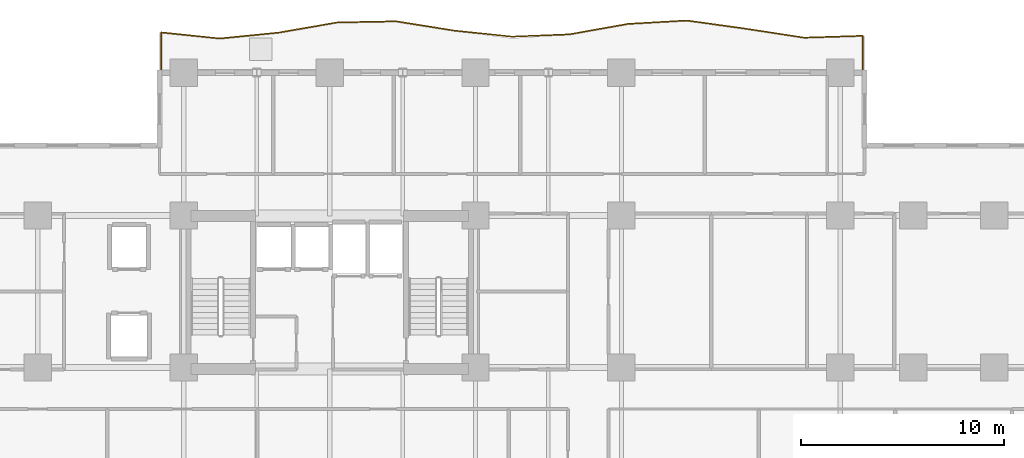
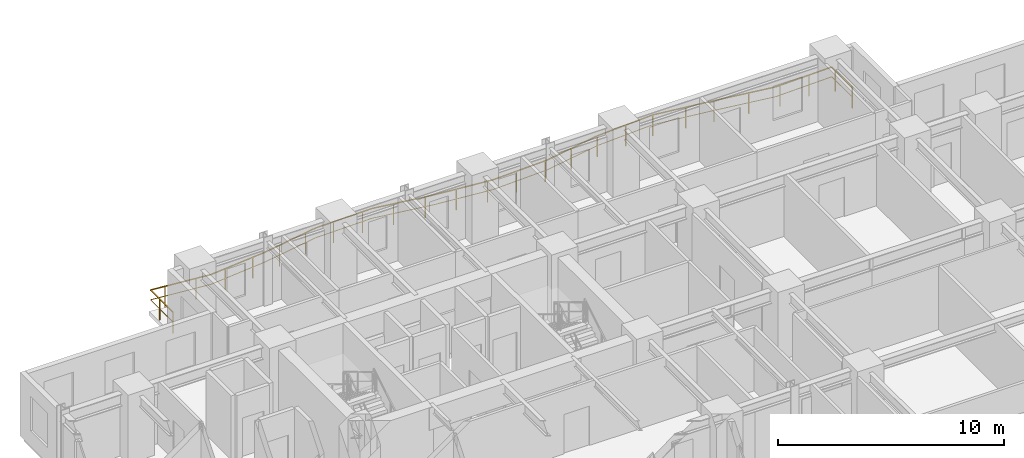
# One storey, part 11 of 11: 1 railing.
"""IFC4 building model written with IfcOpenShell, lengths in metres."""

from ifc_helpers import new_model, si_unit, direction, frame, origin, origin_2d, place, context, subcontext, project, spatial, rectangle, extrude, material, type_object, element, save


model = new_model("IFC4")

# Units and contexts
model_context = context("Model", 3, precision=1e-05, world=origin(), true_north=direction((0.0, 1.0)))
body_context = subcontext(model_context, "Body", "Model", "MODEL_VIEW")
ifc_project = project(units=[si_unit("LENGTHUNIT", "METRE"), si_unit("AREAUNIT", "SQUARE_METRE"), si_unit("VOLUMEUNIT", "CUBIC_METRE"), si_unit("PLANEANGLEUNIT", "RADIAN"), si_unit("MASSUNIT", "GRAM", prefix="KILO")], contexts=[model_context])

# Site, building, storey
site_placement = place(None, origin())
site = spatial("IfcSite", under=ifc_project, at=site_placement, CompositionType="ELEMENT")
building_placement = place(site_placement, origin())
building = spatial("IfcBuilding", under=site, at=building_placement, Name="Kaliganga Portal Commons", CompositionType="ELEMENT")
storey_placement = place(building_placement, frame((0.0, 0.0, 58.60009765625)))
storey = spatial("IfcBuildingStorey", under=building, at=storey_placement, Name="L14", CompositionType="ELEMENT", Elevation=58.60009765625)

# Railing
ifc_material = material(Name="Laminated Safety Glass and Stainless Steel 316", Category="steel")
railing_type = type_object("IfcRailingType", Name="RLG-BAL-1150", PredefinedType="BALUSTRADE", material=ifc_material)
railing_placement = place(storey_placement, frame((47.92041015625, 43.208251953125, 0.0)))
element("IfcRailing", 1, at=railing_placement, inside=storey, type_object=railing_type, Name="Balcony Guardrail L14 balc_north", PredefinedType="BALUSTRADE", context=body_context, shape_type="SweptSolid", body=[
    extrude(rectangle(XDim=0.048095703125, YDim=0.048095703125, at=origin_2d()), frame((0.0, 0.0, 1.1259765625), z_axis=(-0.000269469136, 0.999999963693, 0.0), x_axis=(-0.999999963693, -0.000269469136, 0.0)), (0.0, 0.0, 1.0), 1.81201171875),
    extrude(rectangle(XDim=0.028076171875, YDim=0.028076171875, at=origin_2d()), frame((0.0, 0.0, 0.597900390625), z_axis=(-0.000269469136, 0.999999963693, 0.0), x_axis=(-0.999999963693, -0.000269469136, 0.0)), (0.0, 0.0, 1.0), 1.81201171875),
    extrude(rectangle(XDim=0.048095703125, YDim=0.048095703125, at=origin_2d()), frame((-0.00048828125, 1.81201171875, 1.1259765625), z_axis=(-0.999499351622, -0.031639312697, 0.0), x_axis=(0.031639312697, -0.999499351622, 0.0)), (0.0, 0.0, 1.0), 2.9013671875),
    extrude(rectangle(XDim=0.028076171875, YDim=0.028076171875, at=origin_2d()), frame((-0.00048828125, 1.81201171875, 0.597900390625), z_axis=(-0.999499351622, -0.031639312697, 0.0), x_axis=(0.031639312697, -0.999499351622, 0.0)), (0.0, 0.0, 1.0), 2.9013671875),
    extrude(rectangle(XDim=0.048095703125, YDim=0.048095703125, at=origin_2d()), frame((-2.900390625, 1.72021484375, 1.1259765625), z_axis=(-0.988401500566, 0.151863338822, 0.0), x_axis=(-0.151863338822, -0.988401500566, 0.0)), (0.0, 0.0, 1.0), 2.933837890625),
    extrude(rectangle(XDim=0.028076171875, YDim=0.028076171875, at=origin_2d()), frame((-2.900390625, 1.72021484375, 0.597900390625), z_axis=(-0.988401500566, 0.151863338822, 0.0), x_axis=(-0.151863338822, -0.988401500566, 0.0)), (0.0, 0.0, 1.0), 2.933837890625),
    extrude(rectangle(XDim=0.048095703125, YDim=0.048095703125, at=origin_2d()), frame((-5.80029296875, 2.165771484375, 1.1259765625), z_axis=(-0.990579823892, 0.136936527263, 0.0), x_axis=(-0.136936527263, -0.990579823892, 0.0)), (0.0, 0.0, 1.0), 2.927490234375),
    extrude(rectangle(XDim=0.028076171875, YDim=0.028076171875, at=origin_2d()), frame((-5.80029296875, 2.165771484375, 0.597900390625), z_axis=(-0.990579823892, 0.136936527263, 0.0), x_axis=(-0.136936527263, -0.990579823892, 0.0)), (0.0, 0.0, 1.0), 2.927490234375),
    extrude(rectangle(XDim=0.048095703125, YDim=0.048095703125, at=origin_2d()), frame((-8.7001953125, 2.566650390625, 1.1259765625), z_axis=(-0.998331566542, -0.057741520981, 0.0), x_axis=(0.057741520981, -0.998331566542, 0.0)), (0.0, 0.0, 1.0), 2.90478515625),
    extrude(rectangle(XDim=0.028076171875, YDim=0.028076171875, at=origin_2d()), frame((-8.7001953125, 2.566650390625, 0.597900390625), z_axis=(-0.998331566542, -0.057741520981, 0.0), x_axis=(0.057741520981, -0.998331566542, 0.0)), (0.0, 0.0, 1.0), 2.90478515625),
    extrude(rectangle(XDim=0.048095703125, YDim=0.048095703125, at=origin_2d()), frame((-11.60009765625, 2.39892578125, 1.1259765625), z_axis=(-0.984591059627, -0.17487265453, 0.0), x_axis=(0.17487265453, -0.984591059627, 0.0)), (0.0, 0.0, 1.0), 2.94580078125),
    extrude(rectangle(XDim=0.028076171875, YDim=0.028076171875, at=origin_2d()), frame((-11.60009765625, 2.39892578125, 0.597900390625), z_axis=(-0.984591059627, -0.17487265453, 0.0), x_axis=(0.17487265453, -0.984591059627, 0.0)), (0.0, 0.0, 1.0), 2.94580078125),
    extrude(rectangle(XDim=0.048095703125, YDim=0.048095703125, at=origin_2d()), frame((-14.50048828125, 1.8837890625, 1.1259765625), z_axis=(-0.99917659204, -0.040572625253, 0.0), x_axis=(0.040572625253, -0.99917659204, 0.0)), (0.0, 0.0, 1.0), 2.822265625),
    extrude(rectangle(XDim=0.028076171875, YDim=0.028076171875, at=origin_2d()), frame((-14.50048828125, 1.8837890625, 0.597900390625), z_axis=(-0.99917659204, -0.040572625253, 0.0), x_axis=(0.040572625253, -0.99917659204, 0.0)), (0.0, 0.0, 1.0), 2.822265625),
    extrude(rectangle(XDim=0.048095703125, YDim=0.048095703125, at=origin_2d()), frame((-17.3203125, 1.769287109375, 1.1259765625), z_axis=(-0.994533247809, 0.104420395533, 0.0), x_axis=(-0.104420395533, -0.994533247809, 0.0)), (0.0, 0.0, 1.0), 2.836181640625),
    extrude(rectangle(XDim=0.028076171875, YDim=0.028076171875, at=origin_2d()), frame((-17.3203125, 1.769287109375, 0.597900390625), z_axis=(-0.994533247809, 0.104420395533, 0.0), x_axis=(-0.104420395533, -0.994533247809, 0.0)), (0.0, 0.0, 1.0), 2.836181640625),
    extrude(rectangle(XDim=0.048095703125, YDim=0.048095703125, at=origin_2d()), frame((-20.140869140625, 2.0654296875, 1.1259765625), z_axis=(-0.987552439779, 0.157290109947, 0.0), x_axis=(-0.157290109947, -0.987552439779, 0.0)), (0.0, 0.0, 1.0), 2.936767578125),
    extrude(rectangle(XDim=0.028076171875, YDim=0.028076171875, at=origin_2d()), frame((-20.140869140625, 2.0654296875, 0.597900390625), z_axis=(-0.987552439779, 0.157290109947, 0.0), x_axis=(-0.157290109947, -0.987552439779, 0.0)), (0.0, 0.0, 1.0), 2.936767578125),
    extrude(rectangle(XDim=0.048095703125, YDim=0.048095703125, at=origin_2d()), frame((-23.041015625, 2.52734375, 1.1259765625), z_axis=(-0.999814174039, -0.019277380303, 0.0), x_axis=(0.019277380303, -0.999814174039, 0.0)), (0.0, 0.0, 1.0), 2.900146484375),
    extrude(rectangle(XDim=0.028076171875, YDim=0.028076171875, at=origin_2d()), frame((-23.041015625, 2.52734375, 0.597900390625), z_axis=(-0.999814174039, -0.019277380303, 0.0), x_axis=(0.019277380303, -0.999814174039, 0.0)), (0.0, 0.0, 1.0), 2.900146484375),
    extrude(rectangle(XDim=0.048095703125, YDim=0.048095703125, at=origin_2d()), frame((-25.940673828125, 2.471435546875, 1.1259765625), z_axis=(-0.985387214448, -0.170329203609, 0.0), x_axis=(0.170329203609, -0.985387214448, 0.0)), (0.0, 0.0, 1.0), 2.942626953125),
    extrude(rectangle(XDim=0.028076171875, YDim=0.028076171875, at=origin_2d()), frame((-25.940673828125, 2.471435546875, 0.597900390625), z_axis=(-0.985387214448, -0.170329203609, 0.0), x_axis=(0.170329203609, -0.985387214448, 0.0)), (0.0, 0.0, 1.0), 2.942626953125),
    extrude(rectangle(XDim=0.048095703125, YDim=0.048095703125, at=origin_2d()), frame((-28.84033203125, 1.97021484375, 1.1259765625), z_axis=(-0.994994805252, -0.099926660718, 0.0), x_axis=(0.099926660718, -0.994994805252, 0.0)), (0.0, 0.0, 1.0), 2.914794921875),
    extrude(rectangle(XDim=0.028076171875, YDim=0.028076171875, at=origin_2d()), frame((-28.84033203125, 1.97021484375, 0.597900390625), z_axis=(-0.994994805252, -0.099926660718, 0.0), x_axis=(0.099926660718, -0.994994805252, 0.0)), (0.0, 0.0, 1.0), 2.914794921875),
    extrude(rectangle(XDim=0.048095703125, YDim=0.048095703125, at=origin_2d()), frame((-31.740478515625, 1.678955078125, 1.1259765625), z_axis=(-0.994672565379, 0.103084856708, 0.0), x_axis=(-0.103084856708, -0.994672565379, 0.0)), (0.0, 0.0, 1.0), 2.91552734375),
    extrude(rectangle(XDim=0.028076171875, YDim=0.028076171875, at=origin_2d()), frame((-31.740478515625, 1.678955078125, 0.597900390625), z_axis=(-0.994672565379, 0.103084856708, 0.0), x_axis=(-0.103084856708, -0.994672565379, 0.0)), (0.0, 0.0, 1.0), 2.91552734375),
    extrude(rectangle(XDim=0.048095703125, YDim=0.048095703125, at=origin_2d()), frame((-34.640380859375, 1.9794921875, 1.1259765625), z_axis=(-0.000246669948, -0.999999969577, 0.0), x_axis=(0.999999969577, -0.000246669948, 0.0)), (0.0, 0.0, 1.0), 1.9794921875),
    extrude(rectangle(XDim=0.028076171875, YDim=0.028076171875, at=origin_2d()), frame((-34.640380859375, 1.9794921875, 0.597900390625), z_axis=(-0.000246669948, -0.999999969577, 0.0), x_axis=(0.999999969577, -0.000246669948, 0.0)), (0.0, 0.0, 1.0), 1.9794921875),
    extrude(rectangle(XDim=0.0419921875, YDim=0.0419921875, at=origin_2d()), origin(), (0.0, 0.0, 1.0), 1.101806640625),
    extrude(rectangle(XDim=0.0419921875, YDim=0.0419921875, at=origin_2d()), frame((-0.00048828125, 1.5, 0.0)), (0.0, 0.0, 1.0), 1.101806640625),
    extrude(rectangle(XDim=0.0419921875, YDim=0.0419921875, at=origin_2d()), frame((-1.18798828125, 1.7744140625, 0.0)), (0.0, 0.0, 1.0), 1.101806640625),
    extrude(rectangle(XDim=0.0419921875, YDim=0.0419921875, at=origin_2d()), frame((-2.68701171875, 1.72705078125, 0.0)), (0.0, 0.0, 1.0), 1.101806640625),
    extrude(rectangle(XDim=0.0419921875, YDim=0.0419921875, at=origin_2d()), frame((-4.172119140625, 1.91552734375, 0.0)), (0.0, 0.0, 1.0), 1.101806640625),
    extrude(rectangle(XDim=0.0419921875, YDim=0.0419921875, at=origin_2d()), frame((-5.80029296875, 2.165771484375, 0.0)), (0.0, 0.0, 1.0), 1.101806640625),
    extrude(rectangle(XDim=0.0419921875, YDim=0.0419921875, at=origin_2d()), frame((-7.14013671875, 2.35107421875, 0.0)), (0.0, 0.0, 1.0), 1.101806640625),
    extrude(rectangle(XDim=0.0419921875, YDim=0.0419921875, at=origin_2d()), frame((-8.7001953125, 2.566650390625, 0.0)), (0.0, 0.0, 1.0), 1.101806640625),
    extrude(rectangle(XDim=0.0419921875, YDim=0.0419921875, at=origin_2d()), frame((-10.123046875, 2.484375, 0.0)), (0.0, 0.0, 1.0), 1.101806640625),
    extrude(rectangle(XDim=0.0419921875, YDim=0.0419921875, at=origin_2d()), frame((-11.620361328125, 2.395263671875, 0.0)), (0.0, 0.0, 1.0), 1.101806640625),
    extrude(rectangle(XDim=0.0419921875, YDim=0.0419921875, at=origin_2d()), frame((-13.09716796875, 2.133056640625, 0.0)), (0.0, 0.0, 1.0), 1.101806640625),
    extrude(rectangle(XDim=0.0419921875, YDim=0.0419921875, at=origin_2d()), frame((-14.5751953125, 1.880859375, 0.0)), (0.0, 0.0, 1.0), 1.101806640625),
    extrude(rectangle(XDim=0.0419921875, YDim=0.0419921875, at=origin_2d()), frame((-16.073974609375, 1.81982421875, 0.0)), (0.0, 0.0, 1.0), 1.101806640625),
    extrude(rectangle(XDim=0.0419921875, YDim=0.0419921875, at=origin_2d()), frame((-17.571533203125, 1.795654296875, 0.0)), (0.0, 0.0, 1.0), 1.101806640625),
    extrude(rectangle(XDim=0.0419921875, YDim=0.0419921875, at=origin_2d()), frame((-19.063232421875, 1.952392578125, 0.0)), (0.0, 0.0, 1.0), 1.101806640625),
    extrude(rectangle(XDim=0.0419921875, YDim=0.0419921875, at=origin_2d()), frame((-20.55224609375, 2.130859375, 0.0)), (0.0, 0.0, 1.0), 1.101806640625),
    extrude(rectangle(XDim=0.0419921875, YDim=0.0419921875, at=origin_2d()), frame((-22.033447265625, 2.366943359375, 0.0)), (0.0, 0.0, 1.0), 1.101806640625),
    extrude(rectangle(XDim=0.0419921875, YDim=0.0419921875, at=origin_2d()), frame((-23.520751953125, 2.51806640625, 0.0)), (0.0, 0.0, 1.0), 1.101806640625),
    extrude(rectangle(XDim=0.0419921875, YDim=0.0419921875, at=origin_2d()), frame((-25.0205078125, 2.4892578125, 0.0)), (0.0, 0.0, 1.0), 1.101806640625),
    extrude(rectangle(XDim=0.0419921875, YDim=0.0419921875, at=origin_2d()), frame((-26.51171875, 2.372802734375, 0.0)), (0.0, 0.0, 1.0), 1.101806640625),
    extrude(rectangle(XDim=0.0419921875, YDim=0.0419921875, at=origin_2d()), frame((-27.989990234375, 2.1171875, 0.0)), (0.0, 0.0, 1.0), 1.101806640625),
    extrude(rectangle(XDim=0.0419921875, YDim=0.0419921875, at=origin_2d()), frame((-29.47412109375, 1.906494140625, 0.0)), (0.0, 0.0, 1.0), 1.101806640625),
    extrude(rectangle(XDim=0.0419921875, YDim=0.0419921875, at=origin_2d()), frame((-30.966552734375, 1.756591796875, 0.0)), (0.0, 0.0, 1.0), 1.101806640625),
    extrude(rectangle(XDim=0.0419921875, YDim=0.0419921875, at=origin_2d()), frame((-32.458740234375, 1.75341796875, 0.0)), (0.0, 0.0, 1.0), 1.101806640625),
    extrude(rectangle(XDim=0.0419921875, YDim=0.0419921875, at=origin_2d()), frame((-33.950927734375, 1.907958984375, 0.0)), (0.0, 0.0, 1.0), 1.101806640625),
    extrude(rectangle(XDim=0.0419921875, YDim=0.0419921875, at=origin_2d()), frame((-34.640625, 1.1728515625, 0.0)), (0.0, 0.0, 1.0), 1.101806640625),
    extrude(rectangle(XDim=0.0419921875, YDim=0.0419921875, at=origin_2d()), frame((-34.640869140625, 0.0, 0.0)), (0.0, 0.0, 1.0), 1.101806640625),
])

save(model, "model.ifc")
